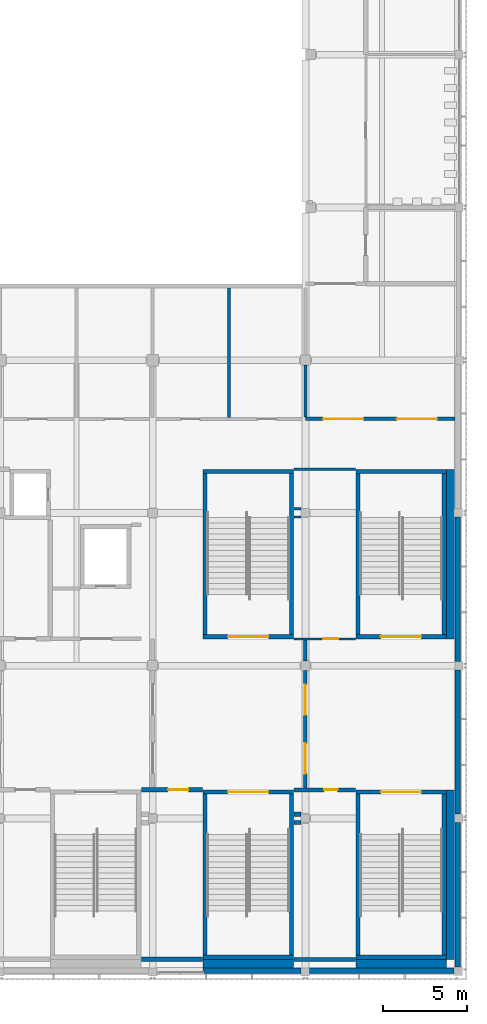
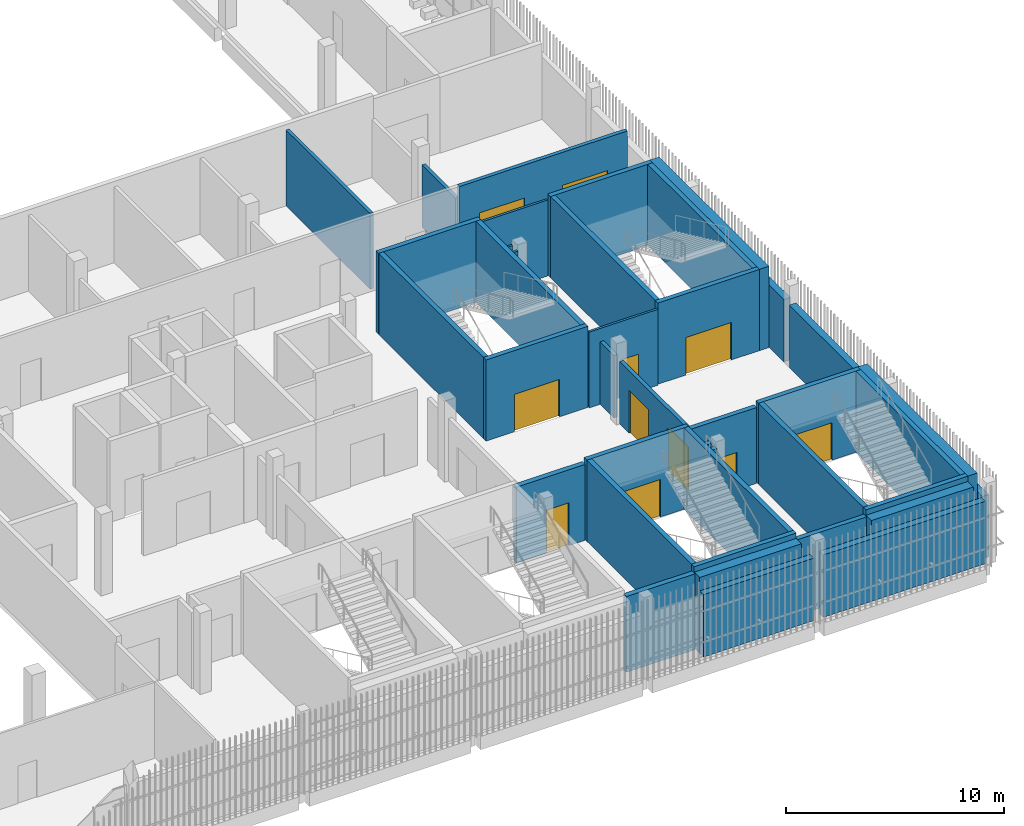
# One storey, part 80 of 124: 40 walls, 11 doors, 11 openings.
"""IFC4 building model written with IfcOpenShell, lengths in metres."""

from ifc_helpers import new_model, si_unit, direction, frame, frame_2d, origin, place, context, subcontext, project, spatial, rectangle, extrude, material, layer, layer_set, type_object, element, fill, save


model = new_model("IFC4")

# Units and contexts
model_context = context("Model", 3, precision=1e-05, world=origin(), true_north=direction((0.0, 1.0)))
body_context = subcontext(model_context, "Body", "Model", "MODEL_VIEW")
ifc_project = project(units=[si_unit("LENGTHUNIT", "METRE"), si_unit("AREAUNIT", "SQUARE_METRE"), si_unit("VOLUMEUNIT", "CUBIC_METRE"), si_unit("PLANEANGLEUNIT", "RADIAN"), si_unit("MASSUNIT", "GRAM", prefix="KILO")], contexts=[model_context])

# Site, building, storey
site_placement = place(None, origin())
site = spatial("IfcSite", under=ifc_project, at=site_placement, CompositionType="ELEMENT")
building_placement = place(site_placement, origin())
building = spatial("IfcBuilding", under=site, at=building_placement, Name="Shirokan Park Arena", CompositionType="ELEMENT")
storey_placement = place(building_placement, frame((0.0, 0.0, 20.02001953125)))
storey = spatial("IfcBuildingStorey", under=building, at=storey_placement, Name="L04", CompositionType="ELEMENT", Elevation=20.02001953125)

# Walls
ifc_material_1 = material(Name="Gypsum board")
ifc_layer_1 = layer(ifc_material_1, 0.02490234375, Name="Gypsum board, two layers")
ifc_material_2 = material(Name="Mineral wool insulation")
ifc_layer_2 = layer(ifc_material_2, 0.10009765625, Name="Acoustic mineral wool in studs")
ifc_layer_3 = layer(ifc_material_1, 0.02490234375, Name="Gypsum board, two layers")
ifc_material_3 = material(Name="Acoustic mat on resilient channel")
ifc_layer_4 = layer(ifc_material_3, 0.02490234375, Name="Acoustic mat on resilient channel")
ifc_layer_set_1 = layer_set([ifc_layer_1, ifc_layer_2, ifc_layer_3, ifc_layer_4], Name="Gypsum board, two layers + Acoustic mineral wool in studs + Acoustic mat on resilient channel")
wall_type_1 = type_object("IfcWallType", Name="Acoustic studio wall 175", PredefinedType="PARTITIONING", material=ifc_layer_set_1)
wall_1_placement = place(storey_placement, frame((131.949951171875, 32.987548828125, 0.0), z_axis=(0.0, 0.0, 1.0), x_axis=(0.0, 1.0, 0.0)))
element("IfcWall", 1, at=wall_1_placement, inside=storey, type_object=wall_type_1, Name="Acoustic studio wall 175 L04", PredefinedType="PARTITIONING", context=body_context, shape_type="SweptSolid", body=[
    extrude(rectangle(XDim=7.71240234375, YDim=0.175048828125, at=frame_2d((3.856201171875, 0.0))), origin(), (0.0, 0.0, 1.0), 4.25),
])
wall_2_placement = place(storey_placement, frame((136.5, 36.10009765625, 0.0), z_axis=(0.0, 0.0, 1.0), x_axis=(0.0, -1.0, 0.0)))
element("IfcWall", 2, at=wall_2_placement, inside=storey, type_object=wall_type_1, Name="Acoustic studio wall 175 L04", PredefinedType="PARTITIONING", context=body_context, shape_type="SweptSolid", body=[
    extrude(rectangle(XDim=3.10009765625, YDim=0.175048828125, at=frame_2d((1.550048828125, 0.0))), origin(), (0.0, 0.0, 1.0), 3.5),
])
ifc_material_4 = material(Name="Plaster")
ifc_layer_5 = layer(ifc_material_4, 0.014892578125, Name="Plaster")
ifc_material_5 = material(Name="Concrete blockwork", Category="masonry")
ifc_layer_6 = layer(ifc_material_5, 0.219970703125, Name="Concrete blockwork 220")
ifc_layer_7 = layer(ifc_material_4, 0.014892578125, Name="Plaster")
ifc_layer_set_2 = layer_set([ifc_layer_5, ifc_layer_6, ifc_layer_7], Name="Plaster + Concrete blockwork 220")
wall_type_2 = type_object("IfcWallType", Name="Compartment wall 250", PredefinedType="SOLIDWALL", material=ifc_layer_set_2)
for number, where, z_axis, x_axis, name in (
    (3, (135.830078125, 8.85009765625, 0.0), (0.0, 0.0, 1.0), (1.0, 0.0, 0.0), "Compartment wall 250 L04"),
    (4, (136.25, 9.35009765625, 0.0), (0.0, 0.0, 1.0), (-1.0, 0.0, 0.0), "Compartment wall 250 L04"),
):
    element("IfcWall", number, at=place(storey_placement, frame(where, z_axis=z_axis, x_axis=x_axis)), inside=storey, type_object=wall_type_2, Name=name, PredefinedType="SOLIDWALL", context=body_context, shape_type="SweptSolid", body=[
        extrude(rectangle(XDim=0.419921875, YDim=0.25, at=frame_2d((0.2099609375, 0.0))), origin(), (0.0, 0.0, 1.0), 4.25),
    ])

# Wall, opening, door
wall_3_placement = place(storey_placement, frame((135.830078125, 10.800048828125, 0.0), z_axis=(0.0, 0.0, 1.0), x_axis=(1.0, 0.0, 0.0)))
wall_3 = element("IfcWall", 5, at=wall_3_placement, inside=storey, type_object=wall_type_2, Name="Compartment wall 250 L04", PredefinedType="SOLIDWALL", context=body_context, shape_type="SweptSolid", body=[
    extrude(rectangle(XDim=3.639892578125, YDim=0.25, at=frame_2d((1.81982421875, 0.0))), origin(), (0.0, 0.0, 1.0), 4.25),
])
opening_1_placement = place(wall_3_placement, frame((1.7900390625, 0.0, 0.0)))
opening_1 = element("IfcOpeningElement", 6, at=opening_1_placement, cuts=wall_3, Name="Opening D-4015", PredefinedType="OPENING", context=body_context, shape_type="SweptSolid", body=[
    extrude(rectangle(XDim=0.800048828125, YDim=2.10009765625, at=frame_2d((0.39990234375, 1.050048828125))), frame((0.0, 0.135009765625, 0.0), z_axis=(0.0, -1.0, 0.0), x_axis=(1.0, 0.0, 0.0)), (0.0, 0.0, 1.0), 0.27001953125),
])
ifc_material_6 = material(Name="Timber door set, fire resisting", Category="wood")
door_type_1 = type_object("IfcDoorType", Name="Cleaner store door 800 x 2100", OperationType="SINGLE_SWING_LEFT", PredefinedType="DOOR", material=ifc_material_6)
door_1_placement = place(opening_1_placement, origin())
door_1 = element("IfcDoor", 7, at=door_1_placement, inside=storey, type_object=door_type_1, Name="Door to Cleaner's Store 4.20 D-4015", OperationType="SINGLE_SWING_RIGHT", OverallHeight=2.10009765625, OverallWidth=0.800048828125, PredefinedType="DOOR", context=body_context, shape_type="SweptSolid", body=[
    extrude(rectangle(XDim=0.800048828125, YDim=2.10009765625, at=frame_2d((0.39990234375, 1.050048828125))), frame((0.0, 0.02490234375, 0.0), z_axis=(0.0, -1.0, 0.0), x_axis=(1.0, 0.0, 0.0)), (0.0, 0.0, 1.0), 0.050048828125),
])
fill(opening_1, door_1)

# Wall
wall_4_placement = place(storey_placement, frame((139.469970703125, 0.699951171875, 0.0), z_axis=(0.0, 0.0, 1.0), x_axis=(-1.0, 0.0, 0.0)))
element("IfcWall", 8, at=wall_4_placement, inside=storey, type_object=wall_type_2, Name="Compartment wall 250 L04", PredefinedType="SOLIDWALL", context=body_context, shape_type="SweptSolid", body=[
    extrude(rectangle(XDim=3.639892578125, YDim=0.25, at=frame_2d((1.81982421875, 0.0))), origin(), (0.0, 0.0, 1.0), 4.25),
])

# Wall, openings, doors
ifc_layer_8 = layer(ifc_material_1, 0.02490234375, Name="Gypsum board, two layers")
ifc_layer_9 = layer(ifc_material_2, 0.14990234375, Name="Mineral wool insulation")
ifc_layer_10 = layer(ifc_material_1, 0.02490234375, Name="Gypsum board, two layers")
ifc_layer_set_3 = layer_set([ifc_layer_8, ifc_layer_9, ifc_layer_10], Name="Gypsum board, two layers + Mineral wool insulation")
wall_type_3 = type_object("IfcWallType", Name="Corridor wall 200", PredefinedType="PARTITIONING", material=ifc_layer_set_3)
wall_5_placement = place(storey_placement, frame((136.5, 10.925048828125, 0.0), z_axis=(0.0, 0.0, 1.0), x_axis=(0.0, 1.0, 0.0)))
wall_5 = element("IfcWall", 9, at=wall_5_placement, inside=storey, type_object=wall_type_3, Name="Corridor wall 200 L04", PredefinedType="PARTITIONING", context=body_context, shape_type="SweptSolid", body=[
    extrude(rectangle(XDim=7.0, YDim=0.199951171875, at=frame_2d((3.5, 0.0))), origin(), (0.0, 0.0, 1.0), 3.5),
])
opening_2_placement = place(wall_5_placement, frame((0.85009765625, 0.0, 0.0)))
opening_2 = element("IfcOpeningElement", 10, at=opening_2_placement, cuts=wall_5, Name="Opening D-4085", PredefinedType="OPENING", context=body_context, shape_type="SweptSolid", body=[
    extrude(rectangle(XDim=1.800048828125, YDim=2.39990234375, at=frame_2d((0.89990234375, 1.199951171875))), frame((0.0, 0.10986328125, 0.0), z_axis=(0.0, -1.0, 0.0), x_axis=(1.0, 0.0, 0.0)), (0.0, 0.0, 1.0), 0.219970703125),
])
opening_3_placement = place(wall_5_placement, frame((4.35009765625, 0.0, 0.0)))
opening_3 = element("IfcOpeningElement", 11, at=opening_3_placement, cuts=wall_5, Name="Opening D-4086", PredefinedType="OPENING", context=body_context, shape_type="SweptSolid", body=[
    extrude(rectangle(XDim=1.800048828125, YDim=2.39990234375, at=frame_2d((0.89990234375, 1.199951171875))), frame((0.0, 0.10986328125, 0.0), z_axis=(0.0, -1.0, 0.0), x_axis=(1.0, 0.0, 0.0)), (0.0, 0.0, 1.0), 0.219970703125),
])
ifc_material_7 = material(Name="Glazed steel door set, fire resisting", Category="steel")
door_type_2 = type_object("IfcDoorType", Name="Lift lobby door 1800 x 2400", OperationType="DOUBLE_DOOR_SINGLE_SWING", PredefinedType="DOOR", material=ifc_material_7)
door_2_placement = place(opening_2_placement, origin())
door_2 = element("IfcDoor", 12, at=door_2_placement, inside=storey, type_object=door_type_2, Name="Door between Operations Gallery 2.4.1 and Control Lobby 2.4.2 D-4085", OperationType="DOUBLE_DOOR_SINGLE_SWING", OverallHeight=2.39990234375, OverallWidth=1.800048828125, PredefinedType="DOOR", context=body_context, shape_type="SweptSolid", body=[
    extrude(rectangle(XDim=1.800048828125, YDim=2.39990234375, at=frame_2d((0.89990234375, 1.199951171875))), frame((0.0, 0.02490234375, 0.0), z_axis=(0.0, -1.0, 0.0), x_axis=(1.0, 0.0, 0.0)), (0.0, 0.0, 1.0), 0.050048828125),
])
fill(opening_2, door_2)
door_3_placement = place(opening_3_placement, origin())
door_3 = element("IfcDoor", 13, at=door_3_placement, inside=storey, type_object=door_type_2, Name="Door between Operations Gallery 2.4.1 and Control Lobby 2.4.2 D-4086", OperationType="DOUBLE_DOOR_SINGLE_SWING", OverallHeight=2.39990234375, OverallWidth=1.800048828125, PredefinedType="DOOR", context=body_context, shape_type="SweptSolid", body=[
    extrude(rectangle(XDim=1.800048828125, YDim=2.39990234375, at=frame_2d((0.89990234375, 1.199951171875))), frame((0.0, 0.02490234375, 0.0), z_axis=(0.0, -1.0, 0.0), x_axis=(1.0, 0.0, 0.0)), (0.0, 0.0, 1.0), 0.050048828125),
])
fill(opening_3, door_3)

# Wall
wall_6_placement = place(storey_placement, frame((136.5, 18.47509765625, 0.0), z_axis=(0.0, 0.0, 1.0), x_axis=(0.0, 1.0, 0.0)))
element("IfcWall", 14, at=wall_6_placement, inside=storey, type_object=wall_type_3, Name="Corridor wall 200 L04", PredefinedType="PARTITIONING", context=body_context, shape_type="SweptSolid", body=[
    extrude(rectangle(XDim=1.262451171875, YDim=0.199951171875, at=frame_2d((0.63134765625, 0.0))), origin(), (0.0, 0.0, 1.0), 3.5),
])

# Wall, openings, doors
wall_7_placement = place(storey_placement, frame((136.5, 32.89990234375, 0.0), z_axis=(0.0, 0.0, 1.0), x_axis=(1.0, 0.0, 0.0)))
wall_7 = element("IfcWall", 15, at=wall_7_placement, inside=storey, type_object=wall_type_3, Name="Corridor wall 200 L04", PredefinedType="PARTITIONING", context=body_context, shape_type="SweptSolid", body=[
    extrude(rectangle(XDim=8.89990234375, YDim=0.199951171875, at=frame_2d((4.449951171875, 0.0))), origin(), (0.0, 0.0, 1.0), 4.25),
])
opening_4_placement = place(wall_7_placement, frame((1.050048828125, 0.0, 0.0)))
opening_4 = element("IfcOpeningElement", 16, at=opening_4_placement, cuts=wall_7, Name="Opening D-4083", PredefinedType="OPENING", context=body_context, shape_type="SweptSolid", body=[
    extrude(rectangle(XDim=2.39990234375, YDim=2.39990234375, at=frame_2d((1.199951171875, 1.199951171875))), frame((0.0, 0.10986328125, 0.0), z_axis=(0.0, -1.0, 0.0), x_axis=(1.0, 0.0, 0.0)), (0.0, 0.0, 1.0), 0.219970703125),
])
opening_5_placement = place(wall_7_placement, frame((5.449951171875, 0.0, 0.0)))
opening_5 = element("IfcOpeningElement", 17, at=opening_5_placement, cuts=wall_7, Name="Opening D-4084", PredefinedType="OPENING", context=body_context, shape_type="SweptSolid", body=[
    extrude(rectangle(XDim=2.39990234375, YDim=2.39990234375, at=frame_2d((1.199951171875, 1.199951171875))), frame((0.0, 0.10986328125, 0.0), z_axis=(0.0, -1.0, 0.0), x_axis=(1.0, 0.0, 0.0)), (0.0, 0.0, 1.0), 0.219970703125),
])
ifc_material_8 = material(Name="Steel door set, fire resisting", Category="steel")
door_type_3 = type_object("IfcDoorType", Name="Double door 2400 x 2400", OperationType="DOUBLE_DOOR_SINGLE_SWING", PredefinedType="DOOR", material=ifc_material_8)
door_4_placement = place(opening_4_placement, origin())
door_4 = element("IfcDoor", 18, at=door_4_placement, inside=storey, type_object=door_type_3, Name="Door between Service Corridor 2.4 and Concourse Link 2.4 D-4083", OperationType="DOUBLE_DOOR_SINGLE_SWING", OverallHeight=2.39990234375, OverallWidth=2.39990234375, PredefinedType="DOOR", context=body_context, shape_type="SweptSolid", body=[
    extrude(rectangle(XDim=2.39990234375, YDim=2.39990234375, at=frame_2d((1.199951171875, 1.199951171875))), frame((0.0, 0.02490234375, 0.0), z_axis=(0.0, -1.0, 0.0), x_axis=(1.0, 0.0, 0.0)), (0.0, 0.0, 1.0), 0.050048828125),
])
fill(opening_4, door_4)
door_5_placement = place(opening_5_placement, origin())
door_5 = element("IfcDoor", 19, at=door_5_placement, inside=storey, type_object=door_type_3, Name="Door between Service Corridor 2.4 and Concourse Link 2.4 D-4084", OperationType="DOUBLE_DOOR_SINGLE_SWING", OverallHeight=2.39990234375, OverallWidth=2.39990234375, PredefinedType="DOOR", context=body_context, shape_type="SweptSolid", body=[
    extrude(rectangle(XDim=2.39990234375, YDim=2.39990234375, at=frame_2d((1.199951171875, 1.199951171875))), frame((0.0, 0.02490234375, 0.0), z_axis=(0.0, -1.0, 0.0), x_axis=(1.0, 0.0, 0.0)), (0.0, 0.0, 1.0), 0.050048828125),
])
fill(opening_5, door_5)

# Walls
ifc_material_9 = material(Name="Cedar cladding")
ifc_layer_11 = layer(ifc_material_9, 0.030029296875, Name="Cedar cladding")
ifc_layer_12 = layer(ifc_material_2, 0.10009765625, Name="Mineral wool insulation")
ifc_material_10 = material(Name="Concrete C35", Category="concrete")
ifc_layer_13 = layer(ifc_material_10, 0.199951171875, Name="Concrete C35")
ifc_material_11 = material(Name="Gypsum board lining")
ifc_layer_14 = layer(ifc_material_11, 0.02001953125, Name="Gypsum board lining")
ifc_layer_set_4 = layer_set([ifc_layer_11, ifc_layer_12, ifc_layer_13, ifc_layer_14], Name="Cedar cladding + Mineral wool insulation + Concrete C35 + Gypsum board lining")
wall_type_4 = type_object("IfcWallType", Name="Insulated tower wall 350", PredefinedType="SOLIDWALL", material=ifc_layer_set_4)
wall_8_placement = place(storey_placement, frame((130.39990234375, 0.02490234375, 0.0), z_axis=(0.0, 0.0, 1.0), x_axis=(1.0, 0.0, 0.0)))
element("IfcWall", 20, at=wall_8_placement, inside=storey, type_object=wall_type_4, Name="South facade wall bay 15 L04", PredefinedType="SOLIDWALL", context=body_context, shape_type="SweptSolid", body=[
    extrude(rectangle(XDim=5.85009765625, YDim=0.35009765625, at=frame_2d((2.925048828125, 0.0))), origin(), (0.0, 0.0, 1.0), 3.5),
])
for number, where, z_axis, x_axis, name in (
    (21, (136.75, 0.02490234375, 0.0), (0.0, 0.0, 1.0), (1.0, 0.0, 0.0), "South facade wall bay 16 L04"),
    (22, (145.574951171875, 0.25, 0.0), (0.0, 0.0, 1.0), (0.0, 1.0, 0.0), "East facade wall bay 1 L04"),
):
    element("IfcWall", number, at=place(storey_placement, frame(where, z_axis=z_axis, x_axis=x_axis)), inside=storey, type_object=wall_type_4, Name=name, PredefinedType="SOLIDWALL", context=body_context, shape_type="SweptSolid", body=[
        extrude(rectangle(XDim=8.60009765625, YDim=0.35009765625, at=frame_2d((4.300048828125, 0.0))), origin(), (0.0, 0.0, 1.0), 3.5),
    ])
wall_9_placement = place(storey_placement, frame((145.574951171875, 9.35009765625, 0.0), z_axis=(0.0, 0.0, 1.0), x_axis=(0.0, 1.0, 0.0)))
element("IfcWall", 23, at=wall_9_placement, inside=storey, type_object=wall_type_4, Name="East facade wall bay 2 L04", PredefinedType="SOLIDWALL", context=body_context, shape_type="SweptSolid", body=[
    extrude(rectangle(XDim=8.599853515625, YDim=0.35009765625, at=frame_2d((4.2998046875, 0.0))), origin(), (0.0, 0.0, 1.0), 3.5),
])
wall_10_placement = place(storey_placement, frame((145.574951171875, 18.449951171875, 0.0), z_axis=(0.0, 0.0, 1.0), x_axis=(0.0, 1.0, 0.0)))
element("IfcWall", 24, at=wall_10_placement, inside=storey, type_object=wall_type_4, Name="East facade wall bay 3 L04", PredefinedType="SOLIDWALL", context=body_context, shape_type="SweptSolid", body=[
    extrude(rectangle(XDim=8.60009765625, YDim=0.35009765625, at=frame_2d((4.300048828125, 0.0))), origin(), (0.0, 0.0, 1.0), 3.5),
])

# Wall, opening, door
ifc_layer_15 = layer(ifc_material_4, 0.012451171875, Name="Plaster")
ifc_layer_16 = layer(ifc_material_5, 0.25, Name="Concrete blockwork 250")
ifc_layer_17 = layer(ifc_material_4, 0.012451171875, Name="Plaster")
ifc_layer_set_5 = layer_set([ifc_layer_15, ifc_layer_16, ifc_layer_17], Name="Plaster + Concrete blockwork 250")
wall_type_5 = type_object("IfcWallType", Name="Plant room wall 275", PredefinedType="SOLIDWALL", material=ifc_layer_set_5)
wall_11_placement = place(storey_placement, frame((126.72998046875, 10.800048828125, 0.0), z_axis=(0.0, 0.0, 1.0), x_axis=(1.0, 0.0, 0.0)))
wall_11 = element("IfcWall", 25, at=wall_11_placement, inside=storey, type_object=wall_type_5, Name="Plant room wall 275 L04", PredefinedType="SOLIDWALL", context=body_context, shape_type="SweptSolid", body=[
    extrude(rectangle(XDim=3.64013671875, YDim=0.27490234375, at=frame_2d((1.820068359375, 0.0))), origin(), (0.0, 0.0, 1.0), 4.25),
])
opening_6_placement = place(wall_11_placement, frame((1.590087890625, 0.0, 0.0)))
opening_6 = element("IfcOpeningElement", 26, at=opening_6_placement, cuts=wall_11, Name="Opening D-4016", PredefinedType="OPENING", context=body_context, shape_type="SweptSolid", body=[
    extrude(rectangle(XDim=1.199951171875, YDim=2.39990234375, at=frame_2d((0.60009765625, 1.199951171875))), frame((0.0, 0.1474609375, 0.0), z_axis=(0.0, -1.0, 0.0), x_axis=(1.0, 0.0, 0.0)), (0.0, 0.0, 1.0), 0.294921875),
])
ifc_material_12 = material(Name="Louvred steel door set, fire resisting", Category="steel")
door_type_4 = type_object("IfcDoorType", Name="Plant room door 1200 x 2400", OperationType="SINGLE_SWING_LEFT", PredefinedType="DOOR", material=ifc_material_12)
door_6_placement = place(opening_6_placement, origin())
door_6 = element("IfcDoor", 27, at=door_6_placement, inside=storey, type_object=door_type_4, Name="Door to Equipment Room 4.21 D-4016", OperationType="SINGLE_SWING_RIGHT", OverallHeight=2.39990234375, OverallWidth=1.199951171875, PredefinedType="DOOR", context=body_context, shape_type="SweptSolid", body=[
    extrude(rectangle(XDim=1.199951171875, YDim=2.39990234375, at=frame_2d((0.60009765625, 1.199951171875))), frame((0.0, 0.02490234375, 0.0), z_axis=(0.0, -1.0, 0.0), x_axis=(1.0, 0.0, 0.0)), (0.0, 0.0, 1.0), 0.050048828125),
])
fill(opening_6, door_6)

# Walls
wall_12_placement = place(storey_placement, frame((130.3701171875, 0.699951171875, 0.0), z_axis=(0.0, 0.0, 1.0), x_axis=(-1.0, 0.0, 0.0)))
element("IfcWall", 28, at=wall_12_placement, inside=storey, type_object=wall_type_5, Name="Plant room wall 275 L04", PredefinedType="SOLIDWALL", context=body_context, shape_type="SweptSolid", body=[
    extrude(rectangle(XDim=3.64013671875, YDim=0.27490234375, at=frame_2d((1.820068359375, 0.0))), origin(), (0.0, 0.0, 1.0), 4.25),
])
ifc_material_13 = material(Name="Concrete C40/50", Category="concrete")
ifc_layer_18 = layer(ifc_material_13, 0.25)
ifc_layer_set_6 = layer_set([ifc_layer_18], Name="Concrete C40/50 250 mm")
wall_type_6 = type_object("IfcWallType", Name="RC shear wall 250", PredefinedType="SHEAR", material=ifc_layer_set_6)
wall_13_placement = place(storey_placement, frame((144.89990234375, 0.824951171875, 0.0), z_axis=(0.0, 0.0, 1.0), x_axis=(-1.0, 0.0, 0.0)))
element("IfcWall", 29, at=wall_13_placement, inside=storey, type_object=wall_type_6, Name="Shaft wall Exit Stair 2.A S L04", PredefinedType="SHEAR", context=body_context, shape_type="SweptSolid", body=[
    extrude(rectangle(XDim=5.39990234375, YDim=0.25, at=frame_2d((2.699951171875, 0.0))), origin(), (0.0, 0.0, 1.0), 4.550048828125),
])

# Wall, opening, door
wall_14_placement = place(storey_placement, frame((144.89990234375, 10.675048828125, 0.0), z_axis=(0.0, 0.0, 1.0), x_axis=(-1.0, 0.0, 0.0)))
wall_14 = element("IfcWall", 30, at=wall_14_placement, inside=storey, type_object=wall_type_6, Name="Shaft wall Exit Stair 2.A N L04", PredefinedType="SHEAR", context=body_context, shape_type="SweptSolid", body=[
    extrude(rectangle(XDim=5.39990234375, YDim=0.25, at=frame_2d((2.699951171875, 0.0))), origin(), (0.0, 0.0, 1.0), 4.550048828125),
])
opening_7_placement = place(wall_14_placement, frame((1.5, 0.0, 0.0)))
opening_7 = element("IfcOpeningElement", 31, at=opening_7_placement, cuts=wall_14, Name="Opening D-4130", PredefinedType="OPENING", context=body_context, shape_type="SweptSolid", body=[
    extrude(rectangle(XDim=2.39990234375, YDim=2.10009765625, at=frame_2d((1.199951171875, 1.050048828125))), frame((0.0, 0.135009765625, 0.0), z_axis=(0.0, -1.0, 0.0), x_axis=(1.0, 0.0, 0.0)), (0.0, 0.0, 1.0), 0.27001953125),
])
door_type_5 = type_object("IfcDoorType", Name="Stair door 2400 x 2100", OperationType="DOUBLE_DOOR_SINGLE_SWING", PredefinedType="DOOR", material=ifc_material_8)
door_7_placement = place(opening_7_placement, origin())
door_7 = element("IfcDoor", 32, at=door_7_placement, inside=storey, type_object=door_type_5, Name="Stair door Exit Stair 2.A D-4130", OperationType="DOUBLE_DOOR_SINGLE_SWING", OverallHeight=2.10009765625, OverallWidth=2.39990234375, PredefinedType="DOOR", context=body_context, shape_type="SweptSolid", body=[
    extrude(rectangle(XDim=2.39990234375, YDim=2.10009765625, at=frame_2d((1.199951171875, 1.050048828125))), frame((0.0, 0.02490234375, 0.0), z_axis=(0.0, -1.0, 0.0), x_axis=(1.0, 0.0, 0.0)), (0.0, 0.0, 1.0), 0.050048828125),
])
fill(opening_7, door_7)

# Walls
for number, where, z_axis, x_axis, name in (
    (33, (139.625, 10.550048828125, 0.0), (0.0, 0.0, 1.0), (0.0, -1.0, 0.0), "Shaft wall Exit Stair 2.A W L04"),
    (34, (144.77490234375, 10.550048828125, 0.0), (0.0, 0.0, 1.0), (0.0, -1.0, 0.0), "Shaft wall Exit Stair 2.A E L04"),
):
    element("IfcWall", number, at=place(storey_placement, frame(where, z_axis=z_axis, x_axis=x_axis)), inside=storey, type_object=wall_type_6, Name=name, PredefinedType="SHEAR", context=body_context, shape_type="SweptSolid", body=[
        extrude(rectangle(XDim=9.60009765625, YDim=0.25, at=frame_2d((4.800048828125, 0.0))), origin(), (0.0, 0.0, 1.0), 4.550048828125),
    ])
wall_15_placement = place(storey_placement, frame((135.800048828125, 0.824951171875, 0.0), z_axis=(0.0, 0.0, 1.0), x_axis=(-1.0, 0.0, 0.0)))
element("IfcWall", 35, at=wall_15_placement, inside=storey, type_object=wall_type_6, Name="Shaft wall Exit Stair 2.B S L04", PredefinedType="SHEAR", context=body_context, shape_type="SweptSolid", body=[
    extrude(rectangle(XDim=5.400146484375, YDim=0.25, at=frame_2d((2.7001953125, 0.0))), origin(), (0.0, 0.0, 1.0), 4.550048828125),
])

# Wall, opening, door
wall_16_placement = place(storey_placement, frame((135.800048828125, 10.675048828125, 0.0), z_axis=(0.0, 0.0, 1.0), x_axis=(-1.0, 0.0, 0.0)))
wall_16 = element("IfcWall", 36, at=wall_16_placement, inside=storey, type_object=wall_type_6, Name="Shaft wall Exit Stair 2.B N L04", PredefinedType="SHEAR", context=body_context, shape_type="SweptSolid", body=[
    extrude(rectangle(XDim=5.400146484375, YDim=0.25, at=frame_2d((2.7001953125, 0.0))), origin(), (0.0, 0.0, 1.0), 4.550048828125),
])
opening_8_placement = place(wall_16_placement, frame((1.5, 0.0, 0.0)))
opening_8 = element("IfcOpeningElement", 37, at=opening_8_placement, cuts=wall_16, Name="Opening D-4131", PredefinedType="OPENING", context=body_context, shape_type="SweptSolid", body=[
    extrude(rectangle(XDim=2.39990234375, YDim=2.10009765625, at=frame_2d((1.199951171875, 1.050048828125))), frame((0.0, 0.135009765625, 0.0), z_axis=(0.0, -1.0, 0.0), x_axis=(1.0, 0.0, 0.0)), (0.0, 0.0, 1.0), 0.27001953125),
])
door_8_placement = place(opening_8_placement, origin())
door_8 = element("IfcDoor", 38, at=door_8_placement, inside=storey, type_object=door_type_5, Name="Stair door Exit Stair 2.B D-4131", OperationType="DOUBLE_DOOR_SINGLE_SWING", OverallHeight=2.10009765625, OverallWidth=2.39990234375, PredefinedType="DOOR", context=body_context, shape_type="SweptSolid", body=[
    extrude(rectangle(XDim=2.39990234375, YDim=2.10009765625, at=frame_2d((1.199951171875, 1.050048828125))), frame((0.0, 0.02490234375, 0.0), z_axis=(0.0, -1.0, 0.0), x_axis=(1.0, 0.0, 0.0)), (0.0, 0.0, 1.0), 0.050048828125),
])
fill(opening_8, door_8)

# Walls
for number, where, z_axis, x_axis, name in (
    (39, (130.52490234375, 10.550048828125, 0.0), (0.0, 0.0, 1.0), (0.0, -1.0, 0.0), "Shaft wall Exit Stair 2.B W L04"),
    (40, (135.675048828125, 10.550048828125, 0.0), (0.0, 0.0, 1.0), (0.0, -1.0, 0.0), "Shaft wall Exit Stair 2.B E L04"),
):
    element("IfcWall", number, at=place(storey_placement, frame(where, z_axis=z_axis, x_axis=x_axis)), inside=storey, type_object=wall_type_6, Name=name, PredefinedType="SHEAR", context=body_context, shape_type="SweptSolid", body=[
        extrude(rectangle(XDim=9.60009765625, YDim=0.25, at=frame_2d((4.800048828125, 0.0))), origin(), (0.0, 0.0, 1.0), 4.550048828125),
    ])

# Wall, opening, door
wall_17_placement = place(storey_placement, frame((144.89990234375, 19.925048828125, 0.0), z_axis=(0.0, 0.0, 1.0), x_axis=(-1.0, 0.0, 0.0)))
wall_17 = element("IfcWall", 41, at=wall_17_placement, inside=storey, type_object=wall_type_6, Name="Shaft wall Exit Stair 2.E S L04", PredefinedType="SHEAR", context=body_context, shape_type="SweptSolid", body=[
    extrude(rectangle(XDim=5.39990234375, YDim=0.25, at=frame_2d((2.699951171875, 0.0))), origin(), (0.0, 0.0, 1.0), 4.550048828125),
])
opening_9_placement = place(wall_17_placement, frame((1.5, 0.0, 0.0)))
opening_9 = element("IfcOpeningElement", 42, at=opening_9_placement, cuts=wall_17, Name="Opening D-4134", PredefinedType="OPENING", context=body_context, shape_type="SweptSolid", body=[
    extrude(rectangle(XDim=2.39990234375, YDim=2.10009765625, at=frame_2d((1.199951171875, 1.050048828125))), frame((0.0, 0.135009765625, 0.0), z_axis=(0.0, -1.0, 0.0), x_axis=(1.0, 0.0, 0.0)), (0.0, 0.0, 1.0), 0.27001953125),
])
door_9_placement = place(opening_9_placement, origin())
door_9 = element("IfcDoor", 43, at=door_9_placement, inside=storey, type_object=door_type_5, Name="Stair door Exit Stair 2.E D-4134", OperationType="DOUBLE_DOOR_SINGLE_SWING", OverallHeight=2.10009765625, OverallWidth=2.39990234375, PredefinedType="DOOR", context=body_context, shape_type="SweptSolid", body=[
    extrude(rectangle(XDim=2.39990234375, YDim=2.10009765625, at=frame_2d((1.199951171875, 1.050048828125))), frame((0.0, 0.02490234375, 0.0), z_axis=(0.0, -1.0, 0.0), x_axis=(1.0, 0.0, 0.0)), (0.0, 0.0, 1.0), 0.050048828125),
])
fill(opening_9, door_9)

# Walls
wall_18_placement = place(storey_placement, frame((144.89990234375, 29.77490234375, 0.0), z_axis=(0.0, 0.0, 1.0), x_axis=(-1.0, 0.0, 0.0)))
element("IfcWall", 44, at=wall_18_placement, inside=storey, type_object=wall_type_6, Name="Shaft wall Exit Stair 2.E N L04", PredefinedType="SHEAR", context=body_context, shape_type="SweptSolid", body=[
    extrude(rectangle(XDim=5.39990234375, YDim=0.25, at=frame_2d((2.699951171875, 0.0))), origin(), (0.0, 0.0, 1.0), 4.550048828125),
])
for number, where, z_axis, x_axis, name in (
    (45, (139.625, 29.64990234375, 0.0), (0.0, 0.0, 1.0), (0.0, -1.0, 0.0), "Shaft wall Exit Stair 2.E W L04"),
    (46, (144.77490234375, 29.64990234375, 0.0), (0.0, 0.0, 1.0), (0.0, -1.0, 0.0), "Shaft wall Exit Stair 2.E E L04"),
):
    element("IfcWall", number, at=place(storey_placement, frame(where, z_axis=z_axis, x_axis=x_axis)), inside=storey, type_object=wall_type_6, Name=name, PredefinedType="SHEAR", context=body_context, shape_type="SweptSolid", body=[
        extrude(rectangle(XDim=9.599853515625, YDim=0.25, at=frame_2d((4.7998046875, 0.0))), origin(), (0.0, 0.0, 1.0), 4.550048828125),
    ])

# Wall, opening, door
wall_19_placement = place(storey_placement, frame((135.800048828125, 19.925048828125, 0.0), z_axis=(0.0, 0.0, 1.0), x_axis=(-1.0, 0.0, 0.0)))
wall_19 = element("IfcWall", 47, at=wall_19_placement, inside=storey, type_object=wall_type_6, Name="Shaft wall Exit Stair 2.F S L04", PredefinedType="SHEAR", context=body_context, shape_type="SweptSolid", body=[
    extrude(rectangle(XDim=5.400146484375, YDim=0.25, at=frame_2d((2.7001953125, 0.0))), origin(), (0.0, 0.0, 1.0), 4.550048828125),
])
opening_10_placement = place(wall_19_placement, frame((1.5, 0.0, 0.0)))
opening_10 = element("IfcOpeningElement", 48, at=opening_10_placement, cuts=wall_19, Name="Opening D-4135", PredefinedType="OPENING", context=body_context, shape_type="SweptSolid", body=[
    extrude(rectangle(XDim=2.39990234375, YDim=2.10009765625, at=frame_2d((1.199951171875, 1.050048828125))), frame((0.0, 0.135009765625, 0.0), z_axis=(0.0, -1.0, 0.0), x_axis=(1.0, 0.0, 0.0)), (0.0, 0.0, 1.0), 0.27001953125),
])
door_10_placement = place(opening_10_placement, origin())
door_10 = element("IfcDoor", 49, at=door_10_placement, inside=storey, type_object=door_type_5, Name="Stair door Exit Stair 2.F D-4135", OperationType="DOUBLE_DOOR_SINGLE_SWING", OverallHeight=2.10009765625, OverallWidth=2.39990234375, PredefinedType="DOOR", context=body_context, shape_type="SweptSolid", body=[
    extrude(rectangle(XDim=2.39990234375, YDim=2.10009765625, at=frame_2d((1.199951171875, 1.050048828125))), frame((0.0, 0.02490234375, 0.0), z_axis=(0.0, -1.0, 0.0), x_axis=(1.0, 0.0, 0.0)), (0.0, 0.0, 1.0), 0.050048828125),
])
fill(opening_10, door_10)

# Walls
wall_20_placement = place(storey_placement, frame((135.800048828125, 29.77490234375, 0.0), z_axis=(0.0, 0.0, 1.0), x_axis=(-1.0, 0.0, 0.0)))
element("IfcWall", 50, at=wall_20_placement, inside=storey, type_object=wall_type_6, Name="Shaft wall Exit Stair 2.F N L04", PredefinedType="SHEAR", context=body_context, shape_type="SweptSolid", body=[
    extrude(rectangle(XDim=5.400146484375, YDim=0.25, at=frame_2d((2.7001953125, 0.0))), origin(), (0.0, 0.0, 1.0), 4.550048828125),
])
for number, where, z_axis, x_axis, name in (
    (51, (130.52490234375, 29.64990234375, 0.0), (0.0, 0.0, 1.0), (0.0, -1.0, 0.0), "Shaft wall Exit Stair 2.F W L04"),
    (52, (135.675048828125, 29.64990234375, 0.0), (0.0, 0.0, 1.0), (0.0, -1.0, 0.0), "Shaft wall Exit Stair 2.F E L04"),
):
    element("IfcWall", number, at=place(storey_placement, frame(where, z_axis=z_axis, x_axis=x_axis)), inside=storey, type_object=wall_type_6, Name=name, PredefinedType="SHEAR", context=body_context, shape_type="SweptSolid", body=[
        extrude(rectangle(XDim=9.599853515625, YDim=0.25, at=frame_2d((4.7998046875, 0.0))), origin(), (0.0, 0.0, 1.0), 4.550048828125),
    ])
ifc_layer_19 = layer(ifc_material_10, 0.5)
ifc_layer_set_7 = layer_set([ifc_layer_19], Name="Concrete C35 500 mm")
wall_type_7 = type_object("IfcWallType", Name="Shaft infill wall 500", PredefinedType="SOLIDWALL", material=ifc_layer_set_7)
wall_21_placement = place(storey_placement, frame((139.5, 0.449951171875, 0.0), z_axis=(0.0, 0.0, 1.0), x_axis=(1.0, 0.0, 0.0)))
element("IfcWall", 53, at=wall_21_placement, inside=storey, type_object=wall_type_7, Name="Shaft infill wall L04", PredefinedType="SOLIDWALL", context=body_context, shape_type="SweptSolid", body=[
    extrude(rectangle(XDim=5.39990234375, YDim=0.5, at=frame_2d((2.699951171875, 0.0))), origin(), (0.0, 0.0, 1.0), 4.25),
])
wall_22_placement = place(storey_placement, frame((145.14990234375, 0.699951171875, 0.0), z_axis=(0.0, 0.0, 1.0), x_axis=(0.0, 1.0, 0.0)))
element("IfcWall", 54, at=wall_22_placement, inside=storey, type_object=wall_type_7, Name="Shaft infill wall L04", PredefinedType="SOLIDWALL", context=body_context, shape_type="SweptSolid", body=[
    extrude(rectangle(XDim=10.10009765625, YDim=0.5, at=frame_2d((5.050048828125, 0.0))), origin(), (0.0, 0.0, 1.0), 4.550048828125),
])
wall_23_placement = place(storey_placement, frame((130.39990234375, 0.449951171875, 0.0), z_axis=(0.0, 0.0, 1.0), x_axis=(1.0, 0.0, 0.0)))
element("IfcWall", 55, at=wall_23_placement, inside=storey, type_object=wall_type_7, Name="Shaft infill wall L04", PredefinedType="SOLIDWALL", context=body_context, shape_type="SweptSolid", body=[
    extrude(rectangle(XDim=5.400146484375, YDim=0.5, at=frame_2d((2.7001953125, 0.0))), origin(), (0.0, 0.0, 1.0), 4.25),
])
wall_24_placement = place(storey_placement, frame((145.14990234375, 19.800048828125, 0.0), z_axis=(0.0, 0.0, 1.0), x_axis=(0.0, 1.0, 0.0)))
element("IfcWall", 56, at=wall_24_placement, inside=storey, type_object=wall_type_7, Name="Shaft infill wall L04", PredefinedType="SOLIDWALL", context=body_context, shape_type="SweptSolid", body=[
    extrude(rectangle(XDim=10.099853515625, YDim=0.5, at=frame_2d((5.0498046875, 0.0))), origin(), (0.0, 0.0, 1.0), 4.550048828125),
])

# Wall, opening, door
ifc_material_14 = material(Name="Ceramic tile")
ifc_layer_20 = layer(ifc_material_14, 0.010009765625, Name="Ceramic tile")
ifc_material_15 = material(Name="Cement board")
ifc_layer_21 = layer(ifc_material_15, 0.012451171875, Name="Cement board")
ifc_layer_22 = layer(ifc_material_2, 0.080078125, Name="Mineral wool insulation")
ifc_layer_23 = layer(ifc_material_15, 0.012451171875, Name="Cement board")
ifc_layer_24 = layer(ifc_material_14, 0.010009765625, Name="Ceramic tile")
ifc_layer_set_8 = layer_set([ifc_layer_20, ifc_layer_21, ifc_layer_22, ifc_layer_23, ifc_layer_24], Name="Ceramic tile + Cement board + Mineral wool insulation")
wall_type_8 = type_object("IfcWallType", Name="Wet-area wall 125", PredefinedType="PARTITIONING", material=ifc_layer_set_8)
wall_25_placement = place(storey_placement, frame((135.830078125, 19.800048828125, 0.0), z_axis=(0.0, 0.0, 1.0), x_axis=(1.0, 0.0, 0.0)))
wall_25 = element("IfcWall", 57, at=wall_25_placement, inside=storey, type_object=wall_type_8, Name="Wet-area wall 125 L04", PredefinedType="PARTITIONING", context=body_context, shape_type="SweptSolid", body=[
    extrude(rectangle(XDim=3.639892578125, YDim=0.125, at=frame_2d((1.81982421875, 0.0))), origin(), (0.0, 0.0, 1.0), 4.25),
])
opening_11_placement = place(wall_25_placement, frame((1.719970703125, 0.0, 0.0)))
opening_11 = element("IfcOpeningElement", 58, at=opening_11_placement, cuts=wall_25, Name="Opening D-4012", PredefinedType="OPENING", context=body_context, shape_type="SweptSolid", body=[
    extrude(rectangle(XDim=0.89990234375, YDim=2.10009765625, at=frame_2d((0.449951171875, 1.050048828125))), frame((0.0, 0.072509765625, 0.0), z_axis=(0.0, -1.0, 0.0), x_axis=(1.0, 0.0, 0.0)), (0.0, 0.0, 1.0), 0.14501953125),
])
door_type_6 = type_object("IfcDoorType", Name="Door 900 x 2100", OperationType="SINGLE_SWING_LEFT", PredefinedType="DOOR", material=ifc_material_6)
door_11_placement = place(opening_11_placement, origin())
door_11 = element("IfcDoor", 59, at=door_11_placement, inside=storey, type_object=door_type_6, Name="Door to Staff WC 4.27 D-4012", OperationType="SINGLE_SWING_LEFT", OverallHeight=2.10009765625, OverallWidth=0.89990234375, PredefinedType="DOOR", context=body_context, shape_type="SweptSolid", body=[
    extrude(rectangle(XDim=0.89990234375, YDim=2.10009765625, at=frame_2d((0.449951171875, 1.050048828125))), frame((0.0, 0.02490234375, 0.0), z_axis=(0.0, -1.0, 0.0), x_axis=(1.0, 0.0, 0.0)), (0.0, 0.0, 1.0), 0.050048828125),
])
fill(opening_11, door_11)

# Walls
wall_26_placement = place(storey_placement, frame((135.830078125, 27.050048828125, 0.0), z_axis=(0.0, 0.0, 1.0), x_axis=(1.0, 0.0, 0.0)))
element("IfcWall", 60, at=wall_26_placement, inside=storey, type_object=wall_type_8, Name="Wet-area wall 125 L04", PredefinedType="PARTITIONING", context=body_context, shape_type="SweptSolid", body=[
    extrude(rectangle(XDim=0.419921875, YDim=0.125, at=frame_2d((0.2099609375, 0.0))), origin(), (0.0, 0.0, 1.0), 4.25),
])
wall_27_placement = place(storey_placement, frame((135.830078125, 29.89990234375, 0.0), z_axis=(0.0, 0.0, 1.0), x_axis=(1.0, 0.0, 0.0)))
element("IfcWall", 61, at=wall_27_placement, inside=storey, type_object=wall_type_8, Name="Wet-area wall 125 L04", PredefinedType="PARTITIONING", context=body_context, shape_type="SweptSolid", body=[
    extrude(rectangle(XDim=3.639892578125, YDim=0.125, at=frame_2d((1.81982421875, 0.0))), origin(), (0.0, 0.0, 1.0), 4.25),
])
wall_28_placement = place(storey_placement, frame((136.25, 27.550048828125, 0.0), z_axis=(0.0, 0.0, 1.0), x_axis=(-1.0, 0.0, 0.0)))
element("IfcWall", 62, at=wall_28_placement, inside=storey, type_object=wall_type_8, Name="Wet-area wall 125 L04", PredefinedType="PARTITIONING", context=body_context, shape_type="SweptSolid", body=[
    extrude(rectangle(XDim=0.419921875, YDim=0.125, at=frame_2d((0.2099609375, 0.0))), origin(), (0.0, 0.0, 1.0), 4.25),
])

save(model, "model.ifc")
